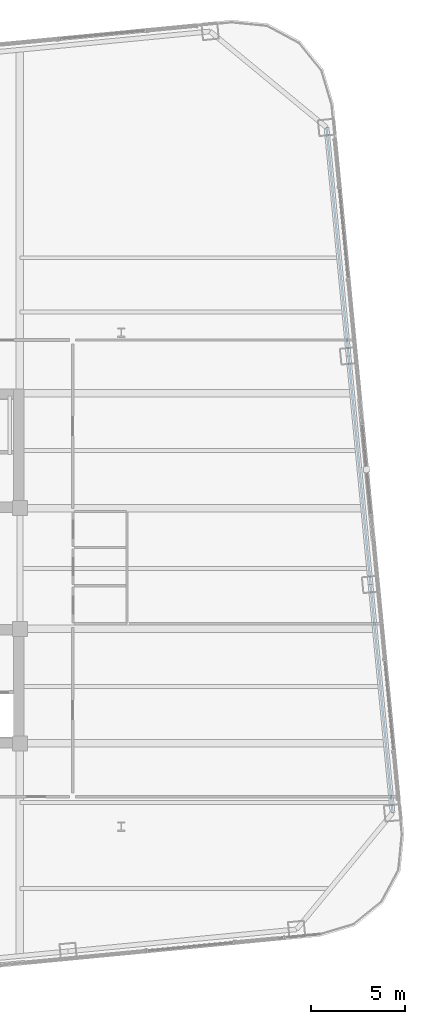
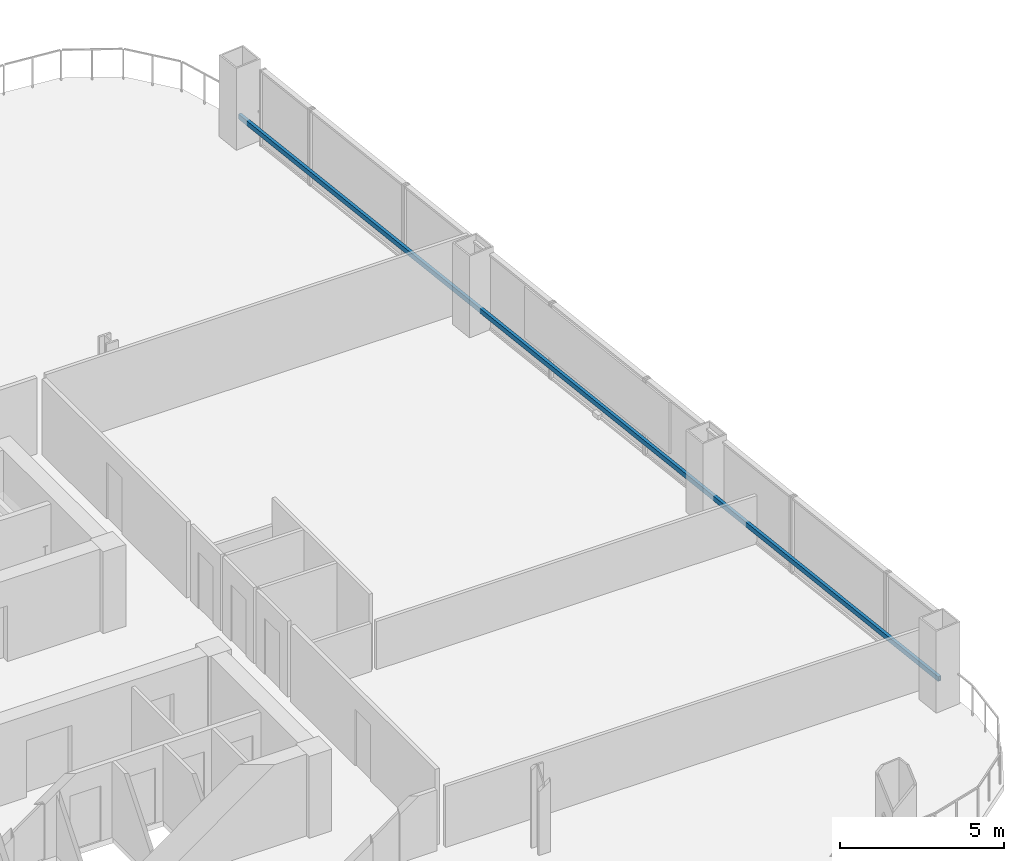
# One storey, part 16 of 32: 1 member.
"""IFC4 building model written with IfcOpenShell, lengths in metres."""

from ifc_helpers import new_model, si_unit, direction, frame, origin, origin_2d, place, context, subcontext, project, spatial, hollow_rectangle, extrude, material, material_profile, profile_set, type_object, element, save


model = new_model("IFC4")

# Units and contexts
model_context = context("Model", 3, precision=1e-05, world=origin(), true_north=direction((0.0, 1.0)))
body_context = subcontext(model_context, "Body", "Model", "MODEL_VIEW")
ifc_project = project(units=[si_unit("LENGTHUNIT", "METRE"), si_unit("AREAUNIT", "SQUARE_METRE"), si_unit("VOLUMEUNIT", "CUBIC_METRE"), si_unit("PLANEANGLEUNIT", "RADIAN"), si_unit("MASSUNIT", "GRAM", prefix="KILO")], contexts=[model_context])

# Site, building, storey
site_placement = place(None, origin())
site = spatial("IfcSite", under=ifc_project, at=site_placement, CompositionType="ELEMENT")
building_placement = place(site_placement, origin())
building = spatial("IfcBuilding", under=site, at=building_placement, Name="Qhalaya Broadcast Tower", CompositionType="ELEMENT")
storey_placement = place(building_placement, frame((0.0, 0.0, 87.75)))
storey = spatial("IfcBuildingStorey", under=building, at=storey_placement, Name="L25", CompositionType="ELEMENT", Elevation=87.75)

# Member
ifc_material = material(Name="Fired Architectural Terracotta", Category="masonry")
ifc_material_profile = material_profile(ifc_material, hollow_rectangle(XDim=0.110107421875, YDim=0.179931640625, WallThickness=0.01806640625, at=origin_2d()), Name="TB-BAG 110x180x18")
ifc_profile_set = profile_set([ifc_material_profile], Name="Fired Architectural Terracotta")
member_type = type_object("IfcMemberType", Name="Fired Terracotta Facade Baguette Member TB1", PredefinedType="USERDEFINED", material=ifc_profile_set)
member_placement = place(storey_placement, frame((29.29248046875, -12.46533203125, 0.84912109375), z_axis=(-0.095845013007, 0.995396269574, 0.0), x_axis=(-0.995396269574, -0.095845013007, 0.0)))
element("IfcMember", 1, at=member_placement, inside=storey, type_object=member_type, Name="L25 Terracotta Baguette Feature Rail E", ObjectType="BAGUETTE", PredefinedType="USERDEFINED", context=body_context, shape_type="SweptSolid", body=[
    extrude(hollow_rectangle(XDim=0.110107421875, YDim=0.179931640625, WallThickness=0.01806640625, at=origin_2d()), origin(), (0.0, 0.0, 1.0), 36.800048828125),
])

save(model, "model.ifc")
